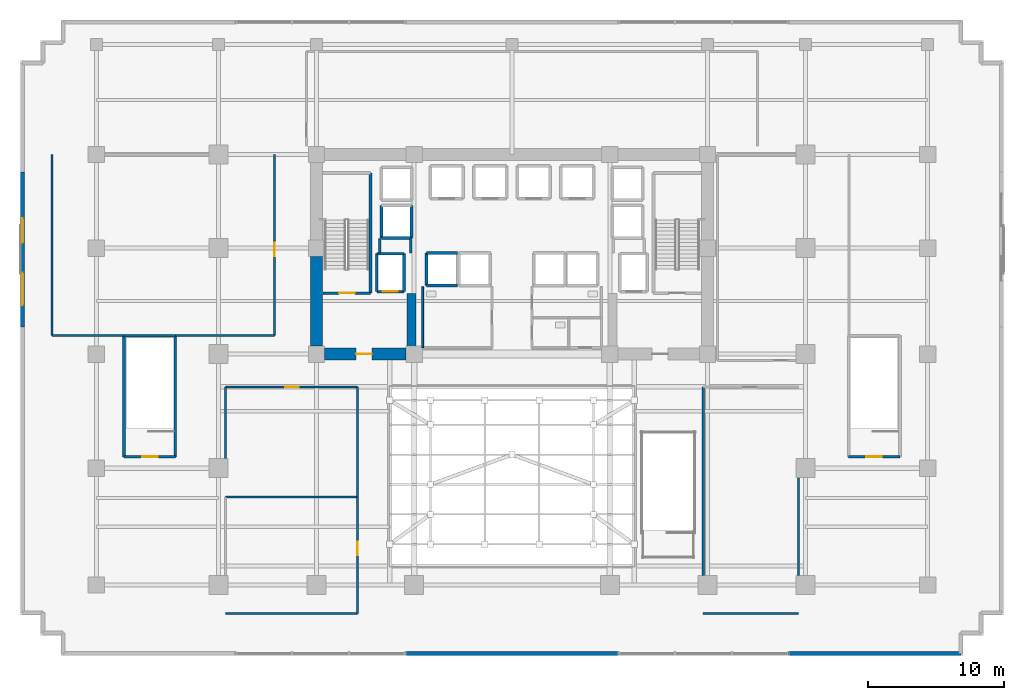
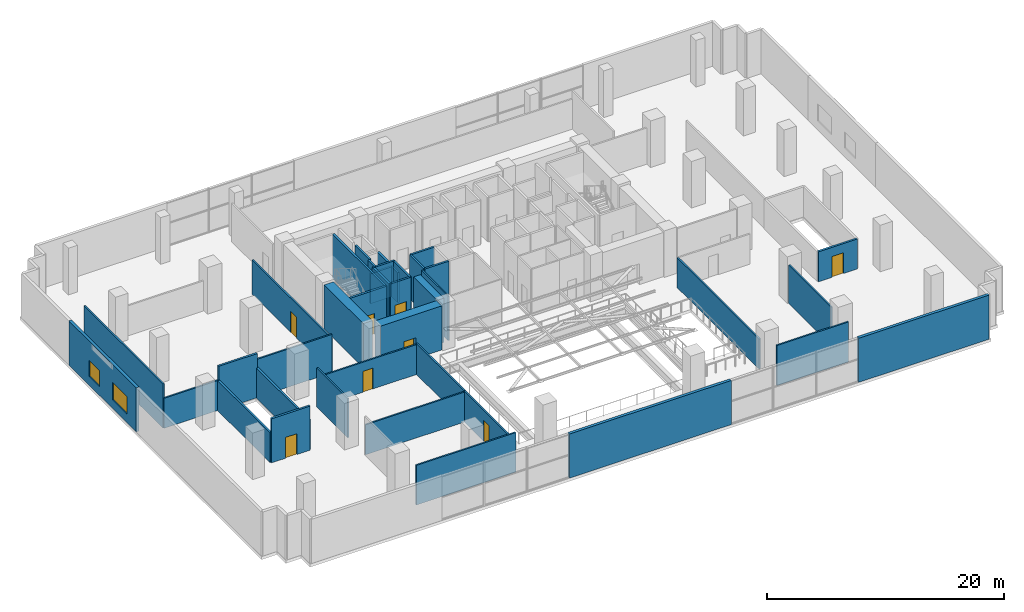
# One storey, part 15 of 22: 39 walls, 8 doors, 2 windows, 10 openings.
"""IFC4 building model written with IfcOpenShell, lengths in metres."""

from ifc_helpers import new_model, si_unit, direction, frame, frame_2d, origin, place, context, subcontext, project, spatial, rectangle, extrude, source, transform, mapped, material, layer, layer_set, type_object, element, fill, save


model = new_model("IFC4")

# Units and contexts
model_context = context("Model", 3, precision=1e-05, world=origin(), true_north=direction((0.0, 1.0)))
body_context = subcontext(model_context, "Body", "Model", "MODEL_VIEW")
ifc_project = project(units=[si_unit("LENGTHUNIT", "METRE"), si_unit("AREAUNIT", "SQUARE_METRE"), si_unit("VOLUMEUNIT", "CUBIC_METRE"), si_unit("PLANEANGLEUNIT", "RADIAN"), si_unit("MASSUNIT", "GRAM", prefix="KILO")], contexts=[model_context])

# Site, building, storey
site_placement = place(None, origin())
site = spatial("IfcSite", under=ifc_project, at=site_placement, CompositionType="ELEMENT")
building_placement = place(site_placement, origin())
building = spatial("IfcBuilding", under=site, at=building_placement, Name="Zarnakvel Exchange Tower", CompositionType="ELEMENT")
storey_placement = place(building_placement, frame((0.0, 0.0, 22.60009765625)))
storey = spatial("IfcBuildingStorey", under=building, at=storey_placement, Name="L05", CompositionType="ELEMENT", Elevation=22.60009765625)

# Wall
ifc_material_1 = material(Name="Concrete C80/95", Category="concrete")
ifc_layer_1 = layer(ifc_material_1, 0.89990234375)
ifc_layer_set_1 = layer_set([ifc_layer_1], Name="Concrete C80/95")
wall_type_1 = type_object("IfcWallType", Name="CW-C1", PredefinedType="SHEAR", material=ifc_layer_set_1)
wall_1_placement = place(storey_placement, frame((-14.39990234375, -0.60009765625, 0.0), z_axis=(0.0, 0.0, 1.0), x_axis=(0.0, 1.0, 0.0)))
element("IfcWall", 1, at=wall_1_placement, inside=storey, type_object=wall_type_1, Name="L05 Rear Core Shear Wall W1 (CW-C1)", PredefinedType="SHEAR", context=body_context, shape_type="SweptSolid", body=[
    extrude(rectangle(XDim=6.60009765625, YDim=0.89990234375, at=frame_2d((3.300048828125, 0.0))), origin(), (0.0, 0.0, 1.0), 4.5498046875),
])

# Wall, opening, door
wall_2_placement = place(storey_placement, frame((-7.800048828125, -1.199951171875, 0.0), z_axis=(0.0, 0.0, 1.0), x_axis=(-1.0, 0.0, 0.0)))
wall_2 = element("IfcWall", 2, at=wall_2_placement, inside=storey, type_object=wall_type_1, Name="L05 Rear Core Shear Wall SW (CW-C1)", PredefinedType="SHEAR", context=body_context, shape_type="SweptSolid", body=[
    extrude(rectangle(XDim=6.0, YDim=0.89990234375, at=frame_2d((3.0, 0.0))), origin(), (0.0, 0.0, 1.0), 4.5498046875),
])
opening_1_placement = place(wall_2_placement, frame((2.52490234375, 0.0, 0.0)))
opening_1 = element("IfcOpeningElement", 3, at=opening_1_placement, cuts=wall_2, Name="Opening D-L05-03", PredefinedType="OPENING", context=body_context, shape_type="SweptSolid", body=[
    extrude(rectangle(XDim=1.14990234375, YDim=2.14990234375, at=frame_2d((0.574951171875, 1.074951171875))), frame((0.0, 0.4599609375, 0.0), z_axis=(0.0, -1.0, 0.0), x_axis=(1.0, 0.0, 0.0)), (0.0, 0.0, 1.0), 0.919921875),
])
ifc_material_2 = material(Name="Painted Galvanised Steel S355", Category="steel")
door_type_1 = type_object("IfcDoorType", Name="DT-04", OperationType="NOTDEFINED", PredefinedType="DOOR", material=ifc_material_2)
shared_shape_1 = source(origin(), body_context, "Body", "SweptSolid", [
    extrude(rectangle(XDim=1.14990234375, YDim=2.14990234375, at=frame_2d((0.574951171875, 1.074951171875))), frame((0.0, 0.02490234375, 0.0), z_axis=(0.0, -1.0, 0.0), x_axis=(1.0, 0.0, 0.0)), (0.0, 0.0, 1.0), 0.050048828125),
])
door_1_placement = place(opening_1_placement, origin())
door_1 = element("IfcDoor", 4, at=door_1_placement, inside=storey, type_object=door_type_1, Name="L05 Firefighting Lobby West Door D-L05-03", OperationType="SINGLE_SWING_RIGHT", OverallHeight=2.14990234375, OverallWidth=1.14990234375, PredefinedType="DOOR", context=body_context, shape_type="MappedRepresentation", body=[
    mapped(shared_shape_1, transform((0.0, 0.0, 0.0), x_axis=(1.0, 0.0, 0.0), y_axis=(0.0, 1.0, 0.0), z_axis=(0.0, 0.0, 1.0), scale=1.0)),
])
fill(opening_1, door_1)

# Wall
ifc_layer_2 = layer(ifc_material_1, 0.64990234375)
ifc_layer_set_2 = layer_set([ifc_layer_2], Name="Concrete C80/95")
wall_type_2 = type_object("IfcWallType", Name="CW-C2", PredefinedType="SHEAR", material=ifc_layer_set_2)
wall_3_placement = place(storey_placement, frame((-7.39990234375, -0.75, 0.0), z_axis=(0.0, 0.0, 1.0), x_axis=(0.0, 1.0, 0.0)))
element("IfcWall", 5, at=wall_3_placement, inside=storey, type_object=wall_type_2, Name="L05 Rear Core Shear Wall IW (CW-C2)", PredefinedType="SHEAR", context=body_context, shape_type="SweptSolid", body=[
    extrude(rectangle(XDim=4.0, YDim=0.64990234375, at=frame_2d((2.0, 0.0))), origin(), (0.0, 0.0, 1.0), 4.5498046875),
])

# Wall, openings, windows
ifc_material_3 = material(Name="Precast concrete C40/50", Category="concrete")
ifc_layer_3 = layer(ifc_material_3, 0.280029296875)
ifc_layer_set_3 = layer_set([ifc_layer_3], Name="Precast concrete C40/50")
wall_type_3 = type_object("IfcWallType", Name="EW-01", PredefinedType="SOLIDWALL", material=ifc_layer_set_3)
wall_4_placement = place(storey_placement, frame((-36.0400390625, 0.800048828125, 0.0), z_axis=(0.0, 0.0, 1.0), x_axis=(0.0, 1.0, 0.0)))
wall_4 = element("IfcWall", 6, at=wall_4_placement, inside=storey, type_object=wall_type_3, Name="L05 Exterior Precast Spandrel Wall EW-L05-WF (EW-01)", PredefinedType="SOLIDWALL", context=body_context, shape_type="SweptSolid", body=[
    extrude(rectangle(XDim=11.39990234375, YDim=0.280029296875, at=frame_2d((5.699951171875, 0.0))), origin(), (0.0, 0.0, 1.0), 4.5498046875),
])
opening_2_placement = place(wall_4_placement, frame((1.60009765625, 0.0, 0.89990234375)))
opening_2 = element("IfcOpeningElement", 7, at=opening_2_placement, cuts=wall_4, Name="Opening WN-01", PredefinedType="OPENING", context=body_context, shape_type="SweptSolid", body=[
    extrude(rectangle(XDim=2.39990234375, YDim=1.800048828125, at=frame_2d((1.199951171875, 0.89990234375))), frame((0.0, 0.14990234375, 0.0), z_axis=(0.0, -1.0, 0.0), x_axis=(1.0, 0.0, 0.0)), (0.0, 0.0, 1.0), 0.300048828125),
])
opening_3_placement = place(wall_4_placement, frame((6.199951171875, 0.0, 0.89990234375)))
opening_3 = element("IfcOpeningElement", 8, at=opening_3_placement, cuts=wall_4, Name="Opening WN-02", PredefinedType="OPENING", context=body_context, shape_type="SweptSolid", body=[
    extrude(rectangle(XDim=1.800048828125, YDim=1.64990234375, at=frame_2d((0.89990234375, 0.824951171875))), frame((0.0, 0.14990234375, 0.0), z_axis=(0.0, -1.0, 0.0), x_axis=(1.0, 0.0, 0.0)), (0.0, 0.0, 1.0), 0.300048828125),
])
ifc_material_4 = material(Name="Double Low-E Laminated Vision Glass", Category="glass")
window_type_1 = type_object("IfcWindowType", Name="WN-01", PartitioningType="SINGLE_PANEL", PredefinedType="WINDOW", material=ifc_material_4)
shared_shape_2 = source(origin(), body_context, "Body", "SweptSolid", [
    extrude(rectangle(XDim=2.39990234375, YDim=1.800048828125, at=frame_2d((1.199951171875, 0.89990234375))), frame((0.0, 0.030029296875, 0.0), z_axis=(0.0, -1.0, 0.0), x_axis=(1.0, 0.0, 0.0)), (0.0, 0.0, 1.0), 0.06005859375),
])
window_1_placement = place(opening_2_placement, origin())
window_1 = element("IfcWindow", 9, at=window_1_placement, inside=storey, type_object=window_type_1, Name="L05 West Flank Window 1", OverallHeight=1.800048828125, OverallWidth=2.39990234375, PartitioningType="SINGLE_PANEL", PredefinedType="WINDOW", context=body_context, shape_type="MappedRepresentation", body=[
    mapped(shared_shape_2, transform((0.0, 0.0, 0.0), x_axis=(1.0, 0.0, 0.0), y_axis=(0.0, 1.0, 0.0), z_axis=(0.0, 0.0, 1.0), scale=1.0)),
])
fill(opening_2, window_1)
window_type_2 = type_object("IfcWindowType", Name="WN-02", PartitioningType="SINGLE_PANEL", PredefinedType="WINDOW", material=ifc_material_4)
shared_shape_3 = source(origin(), body_context, "Body", "SweptSolid", [
    extrude(rectangle(XDim=1.800048828125, YDim=1.64990234375, at=frame_2d((0.89990234375, 0.824951171875))), frame((0.0, 0.030029296875, 0.0), z_axis=(0.0, -1.0, 0.0), x_axis=(1.0, 0.0, 0.0)), (0.0, 0.0, 1.0), 0.06005859375),
])
window_2_placement = place(opening_3_placement, origin())
window_2 = element("IfcWindow", 10, at=window_2_placement, inside=storey, type_object=window_type_2, Name="L05 West Flank Window 2", OverallHeight=1.64990234375, OverallWidth=1.800048828125, PartitioningType="SINGLE_PANEL", PredefinedType="WINDOW", context=body_context, shape_type="MappedRepresentation", body=[
    mapped(shared_shape_3, transform((0.0, 0.0, 0.0), x_axis=(1.0, 0.0, 0.0), y_axis=(0.0, 1.0, 0.0), z_axis=(0.0, 0.0, 1.0), scale=1.0)),
])
fill(opening_3, window_2)

# Walls
wall_5_placement = place(storey_placement, frame((20.304931640625, -23.239990234375, 0.0), z_axis=(0.0, 0.0, 1.0), x_axis=(1.0, 0.0, 0.0)))
element("IfcWall", 11, at=wall_5_placement, inside=storey, type_object=wall_type_3, Name="L05 Exterior Precast Spandrel Wall EWC-L05-20 (EW-01)", PredefinedType="SOLIDWALL", context=body_context, shape_type="SweptSolid", body=[
    extrude(rectangle(XDim=12.735107421875, YDim=0.280029296875, at=frame_2d((6.36767578125, 0.0))), origin(), (0.0, 0.0, 1.0), 4.5498046875),
])
wall_6_placement = place(storey_placement, frame((-7.89501953125, -23.239990234375, 0.0), z_axis=(0.0, 0.0, 1.0), x_axis=(1.0, 0.0, 0.0)))
element("IfcWall", 12, at=wall_6_placement, inside=storey, type_object=wall_type_3, Name="L05 Exterior Precast Spandrel Wall EWC-L05-21 (EW-01)", PredefinedType="SOLIDWALL", context=body_context, shape_type="SweptSolid", body=[
    extrude(rectangle(XDim=15.7900390625, YDim=0.280029296875, at=frame_2d((7.89501953125, 0.0))), origin(), (0.0, 0.0, 1.0), 4.5498046875),
])
ifc_material_5 = material(Name="Fire-Rated Gypsum Stud Partition", Category="gypsum")
ifc_layer_4 = layer(ifc_material_5, 0.14990234375)
ifc_layer_set_4 = layer_set([ifc_layer_4], Name="Fire-Rated Gypsum Stud Partition")
wall_type_4 = type_object("IfcWallType", Name="PT-01", PredefinedType="PARTITIONING", material=ifc_layer_set_4)
wall_7_placement = place(storey_placement, frame((-11.3798828125, -20.280029296875, 0.0), z_axis=(0.0, 0.0, 1.0), x_axis=(-1.0, 0.0, 0.0)))
element("IfcWall", 13, at=wall_7_placement, inside=storey, type_object=wall_type_4, Name="L05 Partition Wall PWALL-L05-030 (PT-01)", PredefinedType="PARTITIONING", context=body_context, shape_type="SweptSolid", body=[
    extrude(rectangle(XDim=9.7001953125, YDim=0.14990234375, at=frame_2d((4.85009765625, 0.0))), origin(), (0.0, 0.0, 1.0), 4.08984375),
])
wall_8_placement = place(storey_placement, frame((-21.080078125, -11.719970703125, 0.0), z_axis=(0.0, 0.0, 1.0), x_axis=(1.0, 0.0, 0.0)))
element("IfcWall", 14, at=wall_8_placement, inside=storey, type_object=wall_type_4, Name="L05 Partition Wall PWALL-L05-031 (PT-01)", PredefinedType="PARTITIONING", context=body_context, shape_type="SweptSolid", body=[
    extrude(rectangle(XDim=9.7001953125, YDim=0.14990234375, at=frame_2d((4.85009765625, 0.0))), origin(), (0.0, 0.0, 1.0), 3.08984375),
])

# Wall, opening, door
wall_9_placement = place(storey_placement, frame((-11.3798828125, -11.719970703125, 0.0), z_axis=(0.0, 0.0, 1.0), x_axis=(0.0, -1.0, 0.0)))
wall_9 = element("IfcWall", 15, at=wall_9_placement, inside=storey, type_object=wall_type_4, Name="L05 Partition Wall PWALL-L05-033 (PT-01)", PredefinedType="PARTITIONING", context=body_context, shape_type="SweptSolid", body=[
    extrude(rectangle(XDim=8.56005859375, YDim=0.14990234375, at=frame_2d((4.280029296875, 0.0))), origin(), (0.0, 0.0, 1.0), 3.18994140625),
])
opening_4_placement = place(wall_9_placement, frame((3.2900390625, 0.0, 0.0)))
opening_4 = element("IfcOpeningElement", 16, at=opening_4_placement, cuts=wall_9, Name="Opening D-L05-11", PredefinedType="OPENING", context=body_context, shape_type="SweptSolid", body=[
    extrude(rectangle(XDim=0.97998046875, YDim=2.14990234375, at=frame_2d((0.489990234375, 1.074951171875))), frame((0.0, 0.0849609375, 0.0), z_axis=(0.0, -1.0, 0.0), x_axis=(1.0, 0.0, 0.0)), (0.0, 0.0, 1.0), 0.169921875),
])
ifc_material_6 = material(Name="Timber Acoustic Veneer", Category="wood")
door_type_2 = type_object("IfcDoorType", Name="DT-05", OperationType="NOTDEFINED", PredefinedType="DOOR", material=ifc_material_6)
shared_shape_4 = source(origin(), body_context, "Body", "SweptSolid", [
    extrude(rectangle(XDim=0.97998046875, YDim=2.14990234375, at=frame_2d((0.489990234375, 1.074951171875))), frame((0.0, 0.02490234375, 0.0), z_axis=(0.0, -1.0, 0.0), x_axis=(1.0, 0.0, 0.0)), (0.0, 0.0, 1.0), 0.050048828125),
])
door_2_placement = place(opening_4_placement, origin())
door_2 = element("IfcDoor", 17, at=door_2_placement, inside=storey, type_object=door_type_2, Name="L05 Market Surveillance Room Door D-L05-11", OperationType="SINGLE_SWING_RIGHT", OverallHeight=2.14990234375, OverallWidth=0.97998046875, PredefinedType="DOOR", context=body_context, shape_type="MappedRepresentation", body=[
    mapped(shared_shape_4, transform((0.0, 0.0, 0.0), x_axis=(1.0, 0.0, 0.0), y_axis=(0.0, 1.0, 0.0), z_axis=(0.0, 0.0, 1.0), scale=1.0)),
])
fill(opening_4, door_2)

wall_10_placement = place(storey_placement, frame((-21.080078125, -3.6298828125, 0.0), z_axis=(0.0, 0.0, 1.0), x_axis=(1.0, 0.0, 0.0)))
wall_10 = element("IfcWall", 18, at=wall_10_placement, inside=storey, type_object=wall_type_4, Name="L05 Partition Wall PWALL-L05-034 (PT-01)", PredefinedType="PARTITIONING", context=body_context, shape_type="SweptSolid", body=[
    extrude(rectangle(XDim=9.7001953125, YDim=0.14990234375, at=frame_2d((4.85009765625, 0.0))), origin(), (0.0, 0.0, 1.0), 3.08984375),
])
opening_5_placement = place(wall_10_placement, frame((4.389892578125, 0.0, 0.0)))
opening_5 = element("IfcOpeningElement", 19, at=opening_5_placement, cuts=wall_10, Name="Opening D-L05-12", PredefinedType="OPENING", context=body_context, shape_type="SweptSolid", body=[
    extrude(rectangle(XDim=0.97998046875, YDim=2.14990234375, at=frame_2d((0.489990234375, 1.074951171875))), frame((0.0, 0.0849609375, 0.0), z_axis=(0.0, -1.0, 0.0), x_axis=(1.0, 0.0, 0.0)), (0.0, 0.0, 1.0), 0.169921875),
])
door_3_placement = place(opening_5_placement, origin())
door_3 = element("IfcDoor", 20, at=door_3_placement, inside=storey, type_object=door_type_2, Name="L05 Quant Research Workspace Door D-L05-12", OperationType="SINGLE_SWING_LEFT", OverallHeight=2.14990234375, OverallWidth=0.97998046875, PredefinedType="DOOR", context=body_context, shape_type="MappedRepresentation", body=[
    mapped(shared_shape_4, transform((0.0, 0.0, 0.0), x_axis=(1.0, 0.0, 0.0), y_axis=(0.0, 1.0, 0.0), z_axis=(0.0, 0.0, 1.0), scale=1.0)),
])
fill(opening_5, door_3)

# Walls
wall_11_placement = place(storey_placement, frame((-21.080078125, -8.8798828125, 0.0), z_axis=(0.0, 0.0, 1.0), x_axis=(0.0, 1.0, 0.0)))
element("IfcWall", 21, at=wall_11_placement, inside=storey, type_object=wall_type_4, Name="L05 Partition Wall PWALL-L05-035 (PT-01)", PredefinedType="PARTITIONING", context=body_context, shape_type="SweptSolid", body=[
    extrude(rectangle(XDim=5.25, YDim=0.14990234375, at=frame_2d((2.625, 0.0))), origin(), (0.0, 0.0, 1.0), 4.039794921875),
])
wall_12_placement = place(storey_placement, frame((-11.3798828125, -3.6298828125, 0.0), z_axis=(0.0, 0.0, 1.0), x_axis=(0.0, -1.0, 0.0)))
element("IfcWall", 22, at=wall_12_placement, inside=storey, type_object=wall_type_4, Name="L05 Partition Wall PWALL-L05-036 (PT-01)", PredefinedType="PARTITIONING", context=body_context, shape_type="SweptSolid", body=[
    extrude(rectangle(XDim=8.090087890625, YDim=0.14990234375, at=frame_2d((4.044921875, 0.0))), origin(), (0.0, 0.0, 1.0), 3.18994140625),
])
wall_13_placement = place(storey_placement, frame((21.080078125, -20.280029296875, 0.0), z_axis=(0.0, 0.0, 1.0), x_axis=(-1.0, 0.0, 0.0)))
element("IfcWall", 23, at=wall_13_placement, inside=storey, type_object=wall_type_4, Name="L05 Partition Wall PWALL-L05-037 (PT-01)", PredefinedType="PARTITIONING", context=body_context, shape_type="SweptSolid", body=[
    extrude(rectangle(XDim=7.0, YDim=0.14990234375, at=frame_2d((3.5, 0.0))), origin(), (0.0, 0.0, 1.0), 4.139892578125),
])
wall_14_placement = place(storey_placement, frame((14.080078125, -17.47998046875, 0.0), z_axis=(0.0, 0.0, 1.0), x_axis=(0.0, 1.0, 0.0)))
element("IfcWall", 24, at=wall_14_placement, inside=storey, type_object=wall_type_4, Name="L05 Partition Wall PWALL-L05-039 (PT-01)", PredefinedType="PARTITIONING", context=body_context, shape_type="SweptSolid", body=[
    extrude(rectangle(XDim=13.85009765625, YDim=0.14990234375, at=frame_2d((6.925048828125, 0.0))), origin(), (0.0, 0.0, 1.0), 3.08984375),
])
wall_15_placement = place(storey_placement, frame((21.080078125, -10.320068359375, 0.0), z_axis=(0.0, 0.0, 1.0), x_axis=(0.0, -1.0, 0.0)))
element("IfcWall", 25, at=wall_15_placement, inside=storey, type_object=wall_type_4, Name="L05 Partition Wall PWALL-L05-040 (PT-01)", PredefinedType="PARTITIONING", context=body_context, shape_type="SweptSolid", body=[
    extrude(rectangle(XDim=7.159912109375, YDim=0.14990234375, at=frame_2d((3.580078125, 0.0))), origin(), (0.0, 0.0, 1.0), 3.93994140625),
])
wall_16_placement = place(storey_placement, frame((-28.56005859375, 0.169921875, 0.0), z_axis=(0.0, 0.0, 1.0), x_axis=(-1.0, 0.0, 0.0)))
element("IfcWall", 26, at=wall_16_placement, inside=storey, type_object=wall_type_4, Name="L05 Partition Wall PWALL-L05-041 (PT-01)", PredefinedType="PARTITIONING", context=body_context, shape_type="SweptSolid", body=[
    extrude(rectangle(XDim=5.31982421875, YDim=0.14990234375, at=frame_2d((2.659912109375, 0.0))), origin(), (0.0, 0.0, 1.0), 3.08984375),
])
wall_17_placement = place(storey_placement, frame((-17.47998046875, 0.169921875, 0.0), z_axis=(0.0, 0.0, 1.0), x_axis=(-1.0, 0.0, 0.0)))
element("IfcWall", 27, at=wall_17_placement, inside=storey, type_object=wall_type_4, Name="L05 Partition Wall PWALL-L05-042 (PT-01)", PredefinedType="PARTITIONING", context=body_context, shape_type="SweptSolid", body=[
    extrude(rectangle(XDim=7.31005859375, YDim=0.14990234375, at=frame_2d((3.655029296875, 0.0))), origin(), (0.0, 0.0, 1.0), 3.93994140625),
])
wall_18_placement = place(storey_placement, frame((-33.8798828125, 0.169921875, 0.0), z_axis=(0.0, 0.0, 1.0), x_axis=(0.0, 1.0, 0.0)))
element("IfcWall", 28, at=wall_18_placement, inside=storey, type_object=wall_type_4, Name="L05 Partition Wall PWALL-L05-044 (PT-01)", PredefinedType="PARTITIONING", context=body_context, shape_type="SweptSolid", body=[
    extrude(rectangle(XDim=13.31005859375, YDim=0.14990234375, at=frame_2d((6.655029296875, 0.0))), origin(), (0.0, 0.0, 1.0), 4.5498046875),
])

# Wall, opening, door
wall_19_placement = place(storey_placement, frame((-17.47998046875, 13.47998046875, 0.0), z_axis=(0.0, 0.0, 1.0), x_axis=(0.0, -1.0, 0.0)))
wall_19 = element("IfcWall", 29, at=wall_19_placement, inside=storey, type_object=wall_type_4, Name="L05 Partition Wall PWALL-L05-045 (PT-01)", PredefinedType="PARTITIONING", context=body_context, shape_type="SweptSolid", body=[
    extrude(rectangle(XDim=13.31005859375, YDim=0.14990234375, at=frame_2d((6.655029296875, 0.0))), origin(), (0.0, 0.0, 1.0), 3.531982421875),
])
opening_6_placement = place(wall_19_placement, frame((6.489990234375, 0.0, 0.0)))
opening_6 = element("IfcOpeningElement", 30, at=opening_6_placement, cuts=wall_19, Name="Opening D-L05-14", PredefinedType="OPENING", context=body_context, shape_type="SweptSolid", body=[
    extrude(rectangle(XDim=0.97998046875, YDim=2.14990234375, at=frame_2d((0.489990234375, 1.074951171875))), frame((0.0, 0.0849609375, 0.0), z_axis=(0.0, -1.0, 0.0), x_axis=(1.0, 0.0, 0.0)), (0.0, 0.0, 1.0), 0.169921875),
])
door_4_placement = place(opening_6_placement, origin())
door_4 = element("IfcDoor", 31, at=door_4_placement, inside=storey, type_object=door_type_2, Name="L05 Regulatory Compliance Suite Door D-L05-14", OperationType="SINGLE_SWING_LEFT", OverallHeight=2.14990234375, OverallWidth=0.97998046875, PredefinedType="DOOR", context=body_context, shape_type="MappedRepresentation", body=[
    mapped(shared_shape_4, transform((0.0, 0.0, 0.0), x_axis=(1.0, 0.0, 0.0), y_axis=(0.0, 1.0, 0.0), z_axis=(0.0, 0.0, 1.0), scale=1.0)),
])
fill(opening_6, door_4)

# Walls
ifc_layer_5 = layer(ifc_material_5, 0.179931640625)
ifc_layer_set_5 = layer_set([ifc_layer_5], Name="Fire-Rated Gypsum Stud Partition")
wall_type_5 = type_object("IfcWallType", Name="PT-02", PredefinedType="PARTITIONING", material=ifc_layer_set_5)
wall_20_placement = place(storey_placement, frame((-9.72998046875, 6.239990234375, 0.0), z_axis=(0.0, 0.0, 1.0), x_axis=(0.0, 1.0, 0.0)))
element("IfcWall", 32, at=wall_20_placement, inside=storey, type_object=wall_type_5, Name="L05 Partition Wall PWALL-L05-007 (PT-02)", PredefinedType="PARTITIONING", context=body_context, shape_type="SweptSolid", body=[
    extrude(rectangle(XDim=1.090087890625, YDim=0.179931640625, at=frame_2d((0.544921875, 0.0))), origin(), (0.0, 0.0, 1.0), 4.5498046875),
])
wall_21_placement = place(storey_placement, frame((-7.469970703125, 7.330078125, 0.0), z_axis=(0.0, 0.0, 1.0), x_axis=(0.0, -1.0, 0.0)))
element("IfcWall", 33, at=wall_21_placement, inside=storey, type_object=wall_type_5, Name="L05 Partition Wall PWALL-L05-008 (PT-02)", PredefinedType="PARTITIONING", context=body_context, shape_type="SweptSolid", body=[
    extrude(rectangle(XDim=1.090087890625, YDim=0.179931640625, at=frame_2d((0.544921875, 0.0))), origin(), (0.0, 0.0, 1.0), 3.08984375),
])
ifc_material_7 = material(Name="Moisture-Resistant Tile-Faced Partition", Category="gypsum")
ifc_layer_6 = layer(ifc_material_7, 0.135009765625)
ifc_layer_set_6 = layer_set([ifc_layer_6], Name="Moisture-Resistant Tile-Faced Partition")
wall_type_6 = type_object("IfcWallType", Name="PT-03", PredefinedType="PARTITIONING", material=ifc_layer_set_6)
wall_22_placement = place(storey_placement, frame((-6.580078125, -0.72998046875, 0.0), z_axis=(0.0, 0.0, 1.0), x_axis=(0.0, 1.0, 0.0)))
element("IfcWall", 34, at=wall_22_placement, inside=storey, type_object=wall_type_6, Name="L05 Partition Wall PWALL-L05-012 (PT-03)", PredefinedType="PARTITIONING", context=body_context, shape_type="SweptSolid", body=[
    extrude(rectangle(XDim=4.489990234375, YDim=0.135009765625, at=frame_2d((2.2451171875, 0.0))), origin(), (0.0, 0.0, 1.0), 4.5498046875),
])

# Wall, opening, door
ifc_material_8 = material(Name="Concrete C40/50", Category="concrete")
ifc_layer_7 = layer(ifc_material_8, 0.199951171875)
ifc_layer_set_7 = layer_set([ifc_layer_7], Name="Concrete C40/50")
wall_type_7 = type_object("IfcWallType", Name="SW-01", PredefinedType="SOLIDWALL", material=ifc_layer_set_7)
wall_23_placement = place(storey_placement, frame((-7.949951171875, 3.39990234375, 0.0), z_axis=(0.0, 0.0, 1.0), x_axis=(-1.0, 0.0, 0.0)))
wall_23 = element("IfcWall", 35, at=wall_23_placement, inside=storey, type_object=wall_type_7, Name="L05 FL-01 Hoistway Wall South", PredefinedType="SOLIDWALL", context=body_context, shape_type="SweptSolid", body=[
    extrude(rectangle(XDim=2.0, YDim=0.199951171875, at=frame_2d((1.0, 0.0))), origin(), (0.0, 0.0, 1.0), 4.5498046875),
])
opening_7_placement = place(wall_23_placement, frame((0.449951171875, 0.0, 0.0)))
opening_7 = element("IfcOpeningElement", 36, at=opening_7_placement, cuts=wall_23, Name="Opening LD-FL-01-L05", PredefinedType="OPENING", context=body_context, shape_type="SweptSolid", body=[
    extrude(rectangle(XDim=1.10009765625, YDim=2.199951171875, at=frame_2d((0.550048828125, 1.10009765625))), frame((0.0, 0.10986328125, 0.0), z_axis=(0.0, -1.0, 0.0), x_axis=(1.0, 0.0, 0.0)), (0.0, 0.0, 1.0), 0.219970703125),
])
ifc_material_9 = material(Name="Brushed Stainless Steel", Category="steel")
door_type_3 = type_object("IfcDoorType", Name="LDT-01", OperationType="NOTDEFINED", PredefinedType="DOOR", material=ifc_material_9)
shared_shape_5 = source(origin(), body_context, "Body", "SweptSolid", [
    extrude(rectangle(XDim=1.10009765625, YDim=2.199951171875, at=frame_2d((0.550048828125, 1.10009765625))), frame((0.0, 0.02490234375, 0.0), z_axis=(0.0, -1.0, 0.0), x_axis=(1.0, 0.0, 0.0)), (0.0, 0.0, 1.0), 0.050048828125),
])
door_5_placement = place(opening_7_placement, origin())
door_5 = element("IfcDoor", 37, at=door_5_placement, inside=storey, type_object=door_type_3, Name="L05 FL-01 Lift Landing Door LD-FL-01-L05", OperationType="DOUBLE_DOOR_SLIDING", OverallHeight=2.199951171875, OverallWidth=1.10009765625, PredefinedType="DOOR", context=body_context, shape_type="MappedRepresentation", body=[
    mapped(shared_shape_5, transform((0.0, 0.0, 0.0), x_axis=(1.0, 0.0, 0.0), y_axis=(0.0, 1.0, 0.0), z_axis=(0.0, 0.0, 1.0), scale=1.0)),
])
fill(opening_7, door_5)

# Walls
wall_24_placement = place(storey_placement, frame((-9.949951171875, 6.199951171875, 0.0), z_axis=(0.0, 0.0, 1.0), x_axis=(1.0, 0.0, 0.0)))
element("IfcWall", 38, at=wall_24_placement, inside=storey, type_object=wall_type_7, Name="L05 FL-01 Hoistway Wall North", PredefinedType="SOLIDWALL", context=body_context, shape_type="SweptSolid", body=[
    extrude(rectangle(XDim=2.0, YDim=0.199951171875, at=frame_2d((1.0, 0.0))), origin(), (0.0, 0.0, 1.0), 4.5498046875),
])
for number, where, z_axis, x_axis, name in (
    (39, (-9.949951171875, 3.39990234375, 0.0), (0.0, 0.0, 1.0), (0.0, 1.0, 0.0), "L05 FL-01 Hoistway Wall West"),
    (40, (-7.949951171875, 6.199951171875, 0.0), (0.0, 0.0, 1.0), (0.0, -1.0, 0.0), "L05 FL-01 Hoistway Wall East"),
):
    element("IfcWall", number, at=place(storey_placement, frame(where, z_axis=z_axis, x_axis=x_axis)), inside=storey, type_object=wall_type_7, Name=name, PredefinedType="SOLIDWALL", context=body_context, shape_type="SweptSolid", body=[
        extrude(rectangle(XDim=2.800048828125, YDim=0.199951171875, at=frame_2d((1.39990234375, 0.0))), origin(), (0.0, 0.0, 1.0), 4.5498046875),
    ])
for number, where, z_axis, x_axis, name in (
    (41, (-4.0, 3.85009765625, 0.0), (0.0, 0.0, 1.0), (-1.0, 0.0, 0.0), "L05 PL-05 Hoistway Wall South"),
    (42, (-6.300048828125, 6.25, 0.0), (0.0, 0.0, 1.0), (1.0, 0.0, 0.0), "L05 PL-05 Hoistway Wall North"),
):
    element("IfcWall", number, at=place(storey_placement, frame(where, z_axis=z_axis, x_axis=x_axis)), inside=storey, type_object=wall_type_7, Name=name, PredefinedType="SOLIDWALL", context=body_context, shape_type="SweptSolid", body=[
        extrude(rectangle(XDim=2.300048828125, YDim=0.199951171875, at=frame_2d((1.14990234375, 0.0))), origin(), (0.0, 0.0, 1.0), 4.5498046875),
    ])
wall_25_placement = place(storey_placement, frame((-6.300048828125, 3.85009765625, 0.0), z_axis=(0.0, 0.0, 1.0), x_axis=(0.0, 1.0, 0.0)))
element("IfcWall", 43, at=wall_25_placement, inside=storey, type_object=wall_type_7, Name="L05 PL-05 Hoistway Wall West", PredefinedType="SOLIDWALL", context=body_context, shape_type="SweptSolid", body=[
    extrude(rectangle(XDim=2.39990234375, YDim=0.199951171875, at=frame_2d((1.199951171875, 0.0))), origin(), (0.0, 0.0, 1.0), 4.5498046875),
])
wall_26_placement = place(storey_placement, frame((-7.39990234375, 7.35009765625, 0.0), z_axis=(0.0, 0.0, 1.0), x_axis=(-1.0, 0.0, 0.0)))
element("IfcWall", 44, at=wall_26_placement, inside=storey, type_object=wall_type_7, Name="L05 PL-09 Hoistway Wall South", PredefinedType="SOLIDWALL", context=body_context, shape_type="SweptSolid", body=[
    extrude(rectangle(XDim=2.2001953125, YDim=0.199951171875, at=frame_2d((1.10009765625, 0.0))), origin(), (0.0, 0.0, 1.0), 3.08984375),
])
wall_27_placement = place(storey_placement, frame((-9.60009765625, 7.35009765625, 0.0), z_axis=(0.0, 0.0, 1.0), x_axis=(0.0, 1.0, 0.0)))
element("IfcWall", 45, at=wall_27_placement, inside=storey, type_object=wall_type_7, Name="L05 PL-09 Hoistway Wall West", PredefinedType="SOLIDWALL", context=body_context, shape_type="SweptSolid", body=[
    extrude(rectangle(XDim=2.39990234375, YDim=0.199951171875, at=frame_2d((1.199951171875, 0.0))), origin(), (0.0, 0.0, 1.0), 4.5498046875),
])
wall_28_placement = place(storey_placement, frame((-7.39990234375, 9.75, 0.0), z_axis=(0.0, 0.0, 1.0), x_axis=(0.0, -1.0, 0.0)))
element("IfcWall", 46, at=wall_28_placement, inside=storey, type_object=wall_type_7, Name="L05 PL-09 Hoistway Wall East", PredefinedType="SOLIDWALL", context=body_context, shape_type="SweptSolid", body=[
    extrude(rectangle(XDim=2.39990234375, YDim=0.199951171875, at=frame_2d((1.199951171875, 0.0))), origin(), (0.0, 0.0, 1.0), 3.08984375),
])

# Wall, opening, door
ifc_layer_8 = layer(ifc_material_8, 0.199951171875)
ifc_layer_set_8 = layer_set([ifc_layer_8], Name="Concrete C40/50")
wall_type_8 = type_object("IfcWallType", Name="SW-02", PredefinedType="SOLIDWALL", material=ifc_layer_set_8)
wall_29_placement = place(storey_placement, frame((-10.409912109375, 3.2900390625, 0.0), z_axis=(0.0, 0.0, 1.0), x_axis=(-1.0, 0.0, 0.0)))
wall_29 = element("IfcWall", 47, at=wall_29_placement, inside=storey, type_object=wall_type_8, Name="L05 Stairwell Core Wall PWALL-L05-001 (SW-02)", PredefinedType="SOLIDWALL", context=body_context, shape_type="SweptSolid", body=[
    extrude(rectangle(XDim=3.52001953125, YDim=0.199951171875, at=frame_2d((1.760009765625, 0.0))), origin(), (0.0, 0.0, 1.0), 4.5498046875),
])
opening_8_placement = place(wall_29_placement, frame((1.1650390625, 0.0, 0.0)))
opening_8 = element("IfcOpeningElement", 48, at=opening_8_placement, cuts=wall_29, Name="Opening D-L05-01", PredefinedType="OPENING", context=body_context, shape_type="SweptSolid", body=[
    extrude(rectangle(XDim=1.14990234375, YDim=2.14990234375, at=frame_2d((0.574951171875, 1.074951171875))), frame((0.0, 0.10986328125, 0.0), z_axis=(0.0, -1.0, 0.0), x_axis=(1.0, 0.0, 0.0)), (0.0, 0.0, 1.0), 0.219970703125),
])
door_6_placement = place(opening_8_placement, origin())
door_6 = element("IfcDoor", 49, at=door_6_placement, inside=storey, type_object=door_type_1, Name="L05 Stairwell ST-01 Door D-L05-01", OperationType="SINGLE_SWING_RIGHT", OverallHeight=2.14990234375, OverallWidth=1.14990234375, PredefinedType="DOOR", context=body_context, shape_type="MappedRepresentation", body=[
    mapped(shared_shape_1, transform((0.0, 0.0, 0.0), x_axis=(1.0, 0.0, 0.0), y_axis=(0.0, 1.0, 0.0), z_axis=(0.0, 0.0, 1.0), scale=1.0)),
])
fill(opening_8, door_6)

# Wall
wall_30_placement = place(storey_placement, frame((-10.409912109375, 12.1298828125, 0.0), z_axis=(0.0, 0.0, 1.0), x_axis=(0.0, -1.0, 0.0)))
element("IfcWall", 50, at=wall_30_placement, inside=storey, type_object=wall_type_8, Name="L05 Stairwell Core Wall PWALL-L05-003 (SW-02)", PredefinedType="SOLIDWALL", context=body_context, shape_type="SweptSolid", body=[
    extrude(rectangle(XDim=8.83984375, YDim=0.199951171875, at=frame_2d((4.419921875, 0.0))), origin(), (0.0, 0.0, 1.0), 4.5498046875),
])

# Wall, opening, door
wall_31_placement = place(storey_placement, frame((-24.7900390625, -8.760009765625, 0.0), z_axis=(0.0, 0.0, 1.0), x_axis=(-1.0, 0.0, 0.0)))
wall_31 = element("IfcWall", 51, at=wall_31_placement, inside=storey, type_object=wall_type_8, Name="L05 Stairwell Core Wall PWALL-L05-022 (SW-02)", PredefinedType="SOLIDWALL", context=body_context, shape_type="SweptSolid", body=[
    extrude(rectangle(XDim=3.77001953125, YDim=0.199951171875, at=frame_2d((1.885009765625, 0.0))), origin(), (0.0, 0.0, 1.0), 4.5498046875),
])
opening_9_placement = place(wall_31_placement, frame((1.284912109375, 0.0, 0.0)))
opening_9 = element("IfcOpeningElement", 52, at=opening_9_placement, cuts=wall_31, Name="Opening D-L05-09", PredefinedType="OPENING", context=body_context, shape_type="SweptSolid", body=[
    extrude(rectangle(XDim=1.14990234375, YDim=2.14990234375, at=frame_2d((0.574951171875, 1.074951171875))), frame((0.0, 0.10986328125, 0.0), z_axis=(0.0, -1.0, 0.0), x_axis=(1.0, 0.0, 0.0)), (0.0, 0.0, 1.0), 0.219970703125),
])
door_7_placement = place(opening_9_placement, origin())
door_7 = element("IfcDoor", 53, at=door_7_placement, inside=storey, type_object=door_type_1, Name="L05 Stairwell ST-03 Door D-L05-09", OperationType="SINGLE_SWING_RIGHT", OverallHeight=2.14990234375, OverallWidth=1.14990234375, PredefinedType="DOOR", context=body_context, shape_type="MappedRepresentation", body=[
    mapped(shared_shape_1, transform((0.0, 0.0, 0.0), x_axis=(1.0, 0.0, 0.0), y_axis=(0.0, 1.0, 0.0), z_axis=(0.0, 0.0, 1.0), scale=1.0)),
])
fill(opening_9, door_7)

# Walls
wall_32_placement = place(storey_placement, frame((-28.56005859375, 0.159912109375, 0.0), z_axis=(0.0, 0.0, 1.0), x_axis=(1.0, 0.0, 0.0)))
element("IfcWall", 54, at=wall_32_placement, inside=storey, type_object=wall_type_8, Name="L05 Stairwell Core Wall PWALL-L05-023 (SW-02)", PredefinedType="SOLIDWALL", context=body_context, shape_type="SweptSolid", body=[
    extrude(rectangle(XDim=3.77001953125, YDim=0.199951171875, at=frame_2d((1.885009765625, 0.0))), origin(), (0.0, 0.0, 1.0), 4.5498046875),
])
for number, where, z_axis, x_axis, name in (
    (55, (-28.56005859375, -8.760009765625, 0.0), (0.0, 0.0, 1.0), (0.0, 1.0, 0.0), "L05 Stairwell Core Wall PWALL-L05-024 (SW-02)"),
    (56, (-24.7900390625, 0.159912109375, 0.0), (0.0, 0.0, 1.0), (0.0, -1.0, 0.0), "L05 Stairwell Core Wall PWALL-L05-025 (SW-02)"),
):
    element("IfcWall", number, at=place(storey_placement, frame(where, z_axis=z_axis, x_axis=x_axis)), inside=storey, type_object=wall_type_8, Name=name, PredefinedType="SOLIDWALL", context=body_context, shape_type="SweptSolid", body=[
        extrude(rectangle(XDim=8.919921875, YDim=0.199951171875, at=frame_2d((4.4599609375, 0.0))), origin(), (0.0, 0.0, 1.0), 3.08984375),
    ])

# Wall, opening, door
wall_33_placement = place(storey_placement, frame((28.56005859375, -8.760009765625, 0.0), z_axis=(0.0, 0.0, 1.0), x_axis=(-1.0, 0.0, 0.0)))
wall_33 = element("IfcWall", 57, at=wall_33_placement, inside=storey, type_object=wall_type_8, Name="L05 Stairwell Core Wall PWALL-L05-026 (SW-02)", PredefinedType="SOLIDWALL", context=body_context, shape_type="SweptSolid", body=[
    extrude(rectangle(XDim=3.77001953125, YDim=0.199951171875, at=frame_2d((1.885009765625, 0.0))), origin(), (0.0, 0.0, 1.0), 3.08984375),
])
opening_10_placement = place(wall_33_placement, frame((1.3349609375, 0.0, 0.0)))
opening_10 = element("IfcOpeningElement", 58, at=opening_10_placement, cuts=wall_33, Name="Opening D-L05-10", PredefinedType="OPENING", context=body_context, shape_type="SweptSolid", body=[
    extrude(rectangle(XDim=1.14990234375, YDim=2.14990234375, at=frame_2d((0.574951171875, 1.074951171875))), frame((0.0, 0.10986328125, 0.0), z_axis=(0.0, -1.0, 0.0), x_axis=(1.0, 0.0, 0.0)), (0.0, 0.0, 1.0), 0.219970703125),
])
door_8_placement = place(opening_10_placement, origin())
door_8 = element("IfcDoor", 59, at=door_8_placement, inside=storey, type_object=door_type_1, Name="L05 Stairwell ST-04 Door D-L05-10", OperationType="SINGLE_SWING_LEFT", OverallHeight=2.14990234375, OverallWidth=1.14990234375, PredefinedType="DOOR", context=body_context, shape_type="MappedRepresentation", body=[
    mapped(shared_shape_1, transform((0.0, 0.0, 0.0), x_axis=(1.0, 0.0, 0.0), y_axis=(0.0, 1.0, 0.0), z_axis=(0.0, 0.0, 1.0), scale=1.0)),
])
fill(opening_10, door_8)

save(model, "model.ifc")
